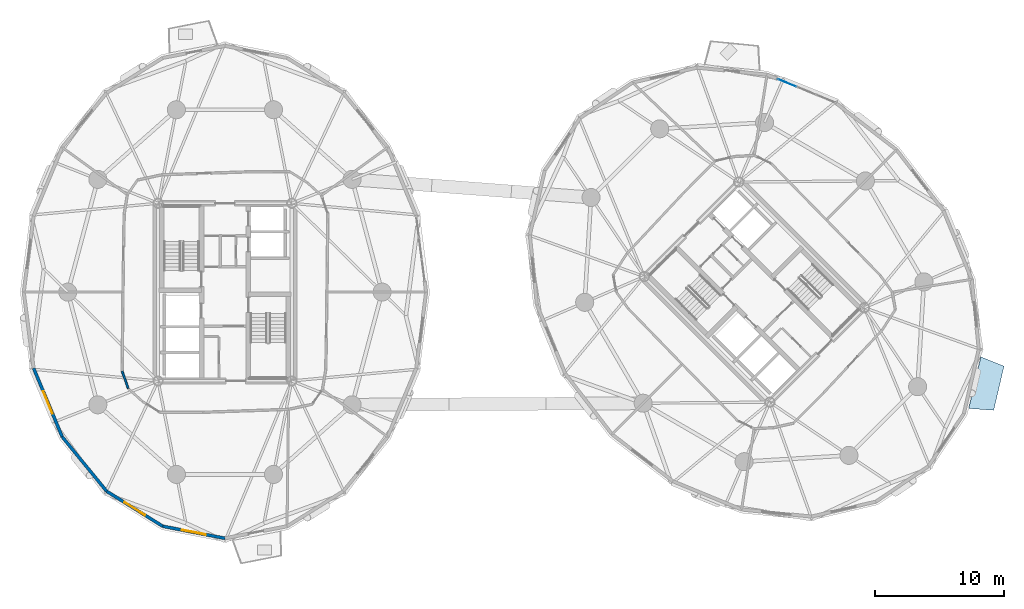
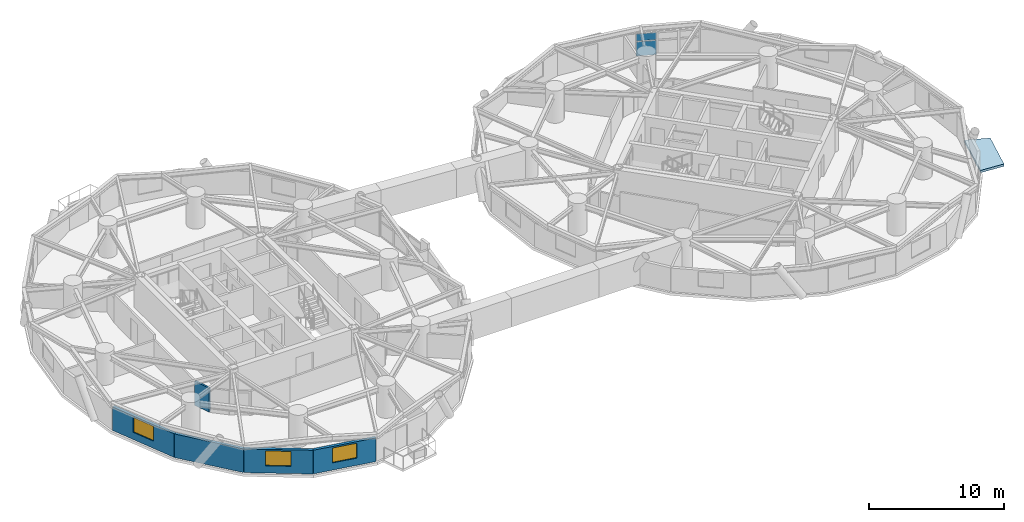
# One storey, part 9 of 18: 5 walls, 3 windows, 2 plates, 1 slab, 3 openings, 1 element without a shape of its own.
"""IFC4 building model written with IfcOpenShell, lengths in metres."""

from ifc_helpers import new_model, si_unit, direction, frame, frame_2d, origin, origin_2d, place, context, subcontext, project, spatial, polyline, rectangle, outline, extrude, source, transform, mapped, material, layer, layer_set, type_object, element, fill, aggregate, save


model = new_model("IFC4")

# Units and contexts
model_context = context("Model", 3, precision=1e-05, world=origin(), true_north=direction((0.0, 1.0)))
body_context = subcontext(model_context, "Body", "Model", "MODEL_VIEW")
ifc_project = project(units=[si_unit("LENGTHUNIT", "METRE"), si_unit("AREAUNIT", "SQUARE_METRE"), si_unit("VOLUMEUNIT", "CUBIC_METRE"), si_unit("PLANEANGLEUNIT", "RADIAN"), si_unit("MASSUNIT", "GRAM", prefix="KILO")], contexts=[model_context])

# Site, building, storey
site_placement = place(None, origin())
site = spatial("IfcSite", under=ifc_project, at=site_placement, CompositionType="ELEMENT")
building_placement = place(site_placement, origin())
building = spatial("IfcBuilding", under=site, at=building_placement, Name="Cununo Teusaquillo Station Towers", CompositionType="ELEMENT")
storey_placement = place(building_placement, frame((0.0, 0.0, 122.530029296875)))
storey = spatial("IfcBuildingStorey", under=building, at=storey_placement, Name="L39", CompositionType="ELEMENT", Elevation=122.530029296875)

# Slab
ifc_material_1 = material(Name="Concrete C50/60", Category="concrete")
ifc_layer_1 = layer(ifc_material_1, 0.2099609375)
ifc_layer_set_1 = layer_set([ifc_layer_1], Name="Concrete C50/60")
slab_type = type_object("IfcSlabType", Name="SLB-BAL-210", PredefinedType="FLOOR", material=ifc_layer_set_1)
slab_placement = place(storey_placement, frame((0.0, 0.0, -0.2099609375)))
element("IfcSlab", 1, at=slab_placement, inside=storey, type_object=slab_type, Name="L39 Tower B Tree Balcony Slab 2", PredefinedType="FLOOR", context=body_context, shape_type="SweptSolid", body=[
    extrude(outline(polyline([(74.1083984375, 15.4873046875), (75.04150390625, 19.486083984375), (76.83837890625, 18.7587890625), (76.04150390625, 15.344482421875), (74.1083984375, 15.4873046875)])), origin(), (0.0, 0.0, 1.0), 0.2099609375),
])

# Curtain wall, plates
ifc_material_2 = material(Name="Ceramic-fritted dark low-E double glazing", Category="glass")
ifc_layer_2 = layer(ifc_material_2, 0.179931640625)
ifc_layer_set_2 = layer_set([ifc_layer_2], Name="Ceramic-fritted dark low-E double glazing")
curtain_wall_type = type_object("IfcCurtainWallType", Name="CW-SYS-04", PredefinedType="USERDEFINED", material=ifc_layer_set_2)
curtain_wall_placement = place(storey_placement, origin())
curtain_wall = element("IfcCurtainWall", 2, at=curtain_wall_placement, inside=storey, type_object=curtain_wall_type, Name="L39 Tower B Facade Curtain Wall C01", ObjectType="FRITTED GLAZING", PredefinedType="USERDEFINED")
ifc_material_3 = material(Name="Ceramic-fritted dark low-E double glazing", Category="glass")
ifc_layer_3 = layer(ifc_material_3, 0.028076171875)
ifc_layer_set_3 = layer_set([ifc_layer_3], Name="Ceramic-fritted dark low-E double glazing")
plate_type = type_object("IfcPlateType", Name="CWP-FRIT-28", PredefinedType="CURTAIN_PANEL", material=ifc_layer_set_3)
shared_shape_1 = source(origin(), body_context, "Body", "SweptSolid", [
    extrude(rectangle(XDim=1.531005859375, YDim=0.028076171875, at=origin_2d()), origin(), (0.0, 0.0, 1.0), 1.284912109375),
])
plate_1_placement = place(storey_placement, frame((60.045654296875, 40.697021484375, 0.06982421875), z_axis=(0.0, 0.0, 1.0), x_axis=(0.924562443652, -0.381030560176, 0.0)))
plate_1 = element("IfcPlate", 3, at=plate_1_placement, type_object=plate_type, Name="CW-04 panel 1.1", PredefinedType="CURTAIN_PANEL", context=body_context, shape_type="MappedRepresentation", body=[
    mapped(shared_shape_1, transform((0.0, 0.0, 0.0), x_axis=(1.0, 0.0, 0.0), y_axis=(0.0, 1.0, 0.0), z_axis=(0.0, 0.0, 1.0), scale=1.0)),
])
shared_shape_2 = source(origin(), body_context, "Body", "SweptSolid", [
    extrude(rectangle(XDim=1.531005859375, YDim=0.028076171875, at=origin_2d()), origin(), (0.0, 0.0, 1.0), 0.64404296875),
])
plate_2_placement = place(storey_placement, frame((60.045654296875, 40.697021484375, 1.425048828125), z_axis=(0.0, 0.0, 1.0), x_axis=(0.924562443652, -0.381030560176, 0.0)))
plate_2 = element("IfcPlate", 4, at=plate_2_placement, type_object=plate_type, Name="CW-04 panel 1.2", PredefinedType="CURTAIN_PANEL", context=body_context, shape_type="MappedRepresentation", body=[
    mapped(shared_shape_2, transform((0.0, 0.0, 0.0), x_axis=(1.0, 0.0, 0.0), y_axis=(0.0, 1.0, 0.0), z_axis=(0.0, 0.0, 1.0), scale=1.0)),
])
aggregate(curtain_wall, [plate_1, plate_2])

# Wall, opening, window
ifc_material_4 = material(Name="Precast concrete C40/50", Category="concrete")
ifc_layer_4 = layer(ifc_material_4, 0.239990234375)
ifc_layer_set_4 = layer_set([ifc_layer_4], Name="Precast concrete C40/50")
wall_type_1 = type_object("IfcWallType", Name="WL-EXT-240", PredefinedType="SOLIDWALL", material=ifc_layer_set_4)
wall_1_placement = place(storey_placement, frame((3.894775390625, 13.291015625, 0.0), z_axis=(0.0, 0.0, 1.0), x_axis=(-0.384344417632, 0.923189779317, 0.0)))
wall_1 = element("IfcWall", 5, at=wall_1_placement, inside=storey, type_object=wall_type_1, Name="L39 Tower A Exterior Facade Wall C11", PredefinedType="SOLIDWALL", context=body_context, shape_type="SweptSolid", body=[
    extrude(rectangle(XDim=5.75830078125, YDim=0.239990234375, at=frame_2d((2.879150390625, 0.0))), origin(), (0.0, 0.0, 1.0), 2.138916015625),
])
shared_shape_3 = source(origin(), body_context, "Body", "SweptSolid", [
    extrude(rectangle(XDim=1.89990234375, YDim=1.35009765625, at=frame_2d((0.949951171875, 0.675048828125))), frame((0.0, 0.1298828125, 0.0), z_axis=(0.0, -1.0, 0.0), x_axis=(1.0, 0.0, 0.0)), (0.0, 0.0, 1.0), 0.260009765625),
])
opening_1_placement = place(wall_1_placement, frame((1.928955078125, 0.0, 0.64990234375)))
opening_1 = element("IfcOpeningElement", 6, at=opening_1_placement, cuts=wall_1, Name="Opening WN-02", PredefinedType="OPENING", context=body_context, shape_type="MappedRepresentation", body=[
    mapped(shared_shape_3, transform((0.0, 0.0, 0.0), x_axis=(1.0, 0.0, 0.0), y_axis=(0.0, 1.0, 0.0), z_axis=(0.0, 0.0, 1.0), scale=1.0)),
])
ifc_material_5 = material(Name="Operable acoustic tinted low-E double glazing", Category="glass")
window_type = type_object("IfcWindowType", Name="WIN-OPER-1900", PartitioningType="DOUBLE_PANEL_VERTICAL", PredefinedType="WINDOW", material=ifc_material_5)
shared_shape_4 = source(origin(), body_context, "Body", "SweptSolid", [
    extrude(rectangle(XDim=1.89990234375, YDim=1.35009765625, at=frame_2d((0.949951171875, 0.675048828125))), frame((0.0, 0.030029296875, 0.0), z_axis=(0.0, -1.0, 0.0), x_axis=(1.0, 0.0, 0.0)), (0.0, 0.0, 1.0), 0.06005859375),
])
window_1_placement = place(opening_1_placement, origin())
window_1 = element("IfcWindow", 7, at=window_1_placement, inside=storey, type_object=window_type, Name="L39 Tower A Facade Window C11", OverallHeight=1.35009765625, OverallWidth=1.89990234375, PartitioningType="DOUBLE_PANEL_VERTICAL", PredefinedType="WINDOW", context=body_context, shape_type="MappedRepresentation", body=[
    mapped(shared_shape_4, transform((0.0, 0.0, 0.0), x_axis=(1.0, 0.0, 0.0), y_axis=(0.0, 1.0, 0.0), z_axis=(0.0, 0.0, 1.0), scale=1.0)),
])
fill(opening_1, window_1)

# Wall
wall_2_placement = place(storey_placement, frame((7.341796875, 9.072021484375, 0.0), z_axis=(0.0, 0.0, 1.0), x_axis=(-0.632700781152, 0.77439635945, 0.0)))
element("IfcWall", 8, at=wall_2_placement, inside=storey, type_object=wall_type_1, Name="L39 Tower A Exterior Facade Wall C12", PredefinedType="SOLIDWALL", context=body_context, shape_type="SweptSolid", body=[
    extrude(rectangle(XDim=5.447998046875, YDim=0.239990234375, at=frame_2d((2.72412109375, 0.0))), origin(), (0.0, 0.0, 1.0), 2.138916015625),
])

# Wall, opening, window
wall_3_placement = place(storey_placement, frame((11.685302734375, 6.36328125, 0.0), z_axis=(0.0, 0.0, 1.0), x_axis=(-0.848520380187, 0.529162701263, 0.0)))
wall_3 = element("IfcWall", 9, at=wall_3_placement, inside=storey, type_object=wall_type_1, Name="L39 Tower A Exterior Facade Wall C13", PredefinedType="SOLIDWALL", context=body_context, shape_type="SweptSolid", body=[
    extrude(rectangle(XDim=5.118896484375, YDim=0.239990234375, at=frame_2d((2.5595703125, 0.0))), origin(), (0.0, 0.0, 1.0), 2.138916015625),
])
opening_2_placement = place(wall_3_placement, frame((1.60888671875, 0.0, 0.64990234375)))
opening_2 = element("IfcOpeningElement", 10, at=opening_2_placement, cuts=wall_3, Name="Opening WN-02", PredefinedType="OPENING", context=body_context, shape_type="MappedRepresentation", body=[
    mapped(shared_shape_3, transform((0.0, 0.0, 0.0), x_axis=(1.0, 0.0, 0.0), y_axis=(0.0, 1.0, 0.0), z_axis=(0.0, 0.0, 1.0), scale=1.0)),
])
window_2_placement = place(opening_2_placement, origin())
window_2 = element("IfcWindow", 11, at=window_2_placement, inside=storey, type_object=window_type, Name="L39 Tower A Facade Window C13", OverallHeight=1.35009765625, OverallWidth=1.89990234375, PartitioningType="DOUBLE_PANEL_VERTICAL", PredefinedType="WINDOW", context=body_context, shape_type="MappedRepresentation", body=[
    mapped(shared_shape_4, transform((0.0, 0.0, 0.0), x_axis=(1.0, 0.0, 0.0), y_axis=(0.0, 1.0, 0.0), z_axis=(0.0, 0.0, 1.0), scale=1.0)),
])
fill(opening_2, window_2)

wall_4_placement = place(storey_placement, frame((16.5, 5.429931640625, 0.0), z_axis=(0.0, 0.0, 1.0), x_axis=(-0.981723785992, 0.190311344954, 0.0)))
wall_4 = element("IfcWall", 12, at=wall_4_placement, inside=storey, type_object=wall_type_1, Name="L39 Tower A Exterior Facade Wall C14", PredefinedType="SOLIDWALL", context=body_context, shape_type="SweptSolid", body=[
    extrude(rectangle(XDim=4.904296875, YDim=0.239990234375, at=frame_2d((2.4521484375, 0.0))), origin(), (0.0, 0.0, 1.0), 2.138916015625),
])
opening_3_placement = place(wall_4_placement, frame((1.501953125, 0.0, 0.64990234375)))
opening_3 = element("IfcOpeningElement", 13, at=opening_3_placement, cuts=wall_4, Name="Opening WN-02", PredefinedType="OPENING", context=body_context, shape_type="MappedRepresentation", body=[
    mapped(shared_shape_3, transform((0.0, 0.0, 0.0), x_axis=(1.0, 0.0, 0.0), y_axis=(0.0, 1.0, 0.0), z_axis=(0.0, 0.0, 1.0), scale=1.0)),
])
window_3_placement = place(opening_3_placement, origin())
window_3 = element("IfcWindow", 14, at=window_3_placement, inside=storey, type_object=window_type, Name="L39 Tower A Facade Window C14", OverallHeight=1.35009765625, OverallWidth=1.89990234375, PartitioningType="DOUBLE_PANEL_VERTICAL", PredefinedType="WINDOW", context=body_context, shape_type="MappedRepresentation", body=[
    mapped(shared_shape_4, transform((0.0, 0.0, 0.0), x_axis=(1.0, 0.0, 0.0), y_axis=(0.0, 1.0, 0.0), z_axis=(0.0, 0.0, 1.0), scale=1.0)),
])
fill(opening_3, window_3)

# Wall
ifc_material_6 = material(Name="Fire-rated gypsum plasterboard partition assembly", Category="gypsum")
ifc_layer_5 = layer(ifc_material_6, 0.14990234375)
ifc_layer_set_5 = layer_set([ifc_layer_5], Name="Fire-rated gypsum plasterboard partition assembly")
wall_type_2 = type_object("IfcWallType", Name="WL-PART-150", PredefinedType="PARTITIONING", material=ifc_layer_set_5)
wall_5_placement = place(storey_placement, frame((8.538330078125, 18.37060546875, 0.0), z_axis=(0.0, 0.0, 1.0), x_axis=(0.3330273821, -0.942917155837, 0.0)))
element("IfcWall", 15, at=wall_5_placement, inside=storey, type_object=wall_type_2, Name="L39 Tower A Corridor Ring Wall C11", PredefinedType="PARTITIONING", context=body_context, shape_type="SweptSolid", body=[
    extrude(rectangle(XDim=1.4169921875, YDim=0.14990234375, at=frame_2d((0.70849609375, 0.0))), origin(), (0.0, 0.0, 1.0), 2.18505859375),
])

save(model, "model.ifc")
